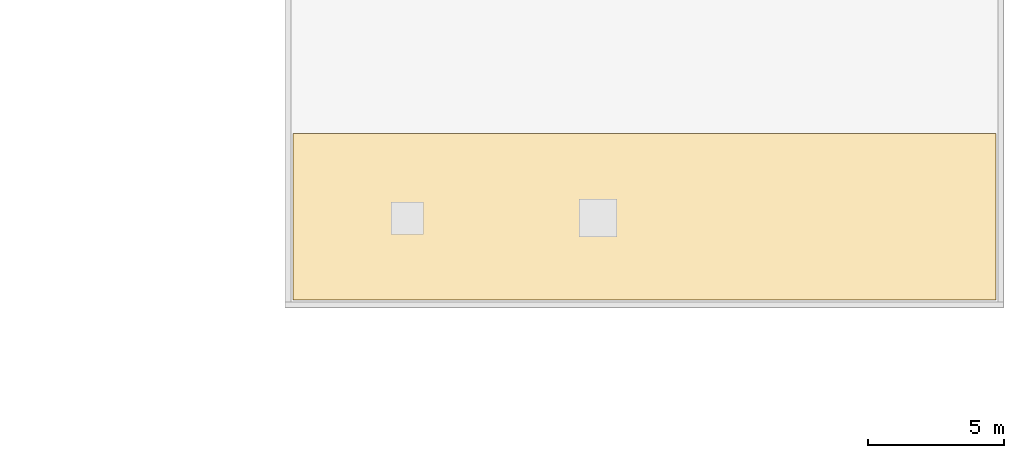
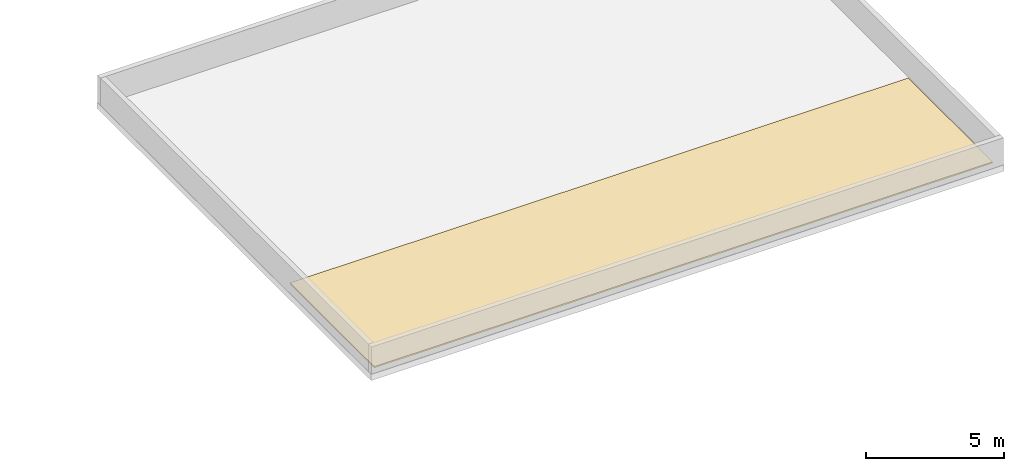
# One storey, part 14 of 15: 1 covering.
"""IFC4 building model written with IfcOpenShell, lengths in metres."""

from ifc_helpers import new_model, si_unit, direction, frame, origin, place, context, subcontext, project, spatial, polyline, outline, extrude, material, layer, layer_set, type_object, element, save


model = new_model("IFC4")

# Units and contexts
model_context = context("Model", 3, precision=1e-05, world=origin(), true_north=direction((0.0, 1.0)))
body_context = subcontext(model_context, "Body", "Model", "MODEL_VIEW")
ifc_project = project(units=[si_unit("LENGTHUNIT", "METRE"), si_unit("AREAUNIT", "SQUARE_METRE"), si_unit("VOLUMEUNIT", "CUBIC_METRE"), si_unit("PLANEANGLEUNIT", "RADIAN"), si_unit("MASSUNIT", "GRAM", prefix="KILO")], contexts=[model_context])

# Site, building, storey
site_placement = place(None, origin())
site = spatial("IfcSite", under=ifc_project, at=site_placement, CompositionType="ELEMENT")
building_placement = place(site_placement, origin())
building = spatial("IfcBuilding", under=site, at=building_placement, Name="Kernevlak Ridge Housing Community", CompositionType="ELEMENT")
storey_placement = place(building_placement, frame((0.0, 0.0, 50.0)))
storey = spatial("IfcBuildingStorey", under=building, at=storey_placement, Name="L15", CompositionType="ELEMENT", Elevation=50.0)

# Covering
ifc_material = material(Name="Cool-white TPO membrane over rigid roof insulation")
ifc_layer = layer(ifc_material, 0.06005859375, Name="Cool-white TPO membrane over rigid roof insulation")
ifc_layer_set = layer_set([ifc_layer], Name="Cool-white TPO membrane over rigid roof insulation")
covering_type = type_object("IfcCoveringType", Name="CV-03", PredefinedType="ROOFING", material=ifc_layer_set)
covering_placement = place(storey_placement, origin())
element("IfcCovering", 1, at=covering_placement, inside=storey, type_object=covering_type, Name="Block B south roof membrane", PredefinedType="ROOFING", context=body_context, shape_type="SweptSolid", body=[
    extrude(outline(polyline([(119.699951171875, 82.89990234375), (145.5, 82.89990234375), (145.5, 89.0), (119.699951171875, 89.0), (119.699951171875, 82.89990234375)])), origin(), (0.0, 0.0, 1.0), 0.06005859375),
])

save(model, "model.ifc")
